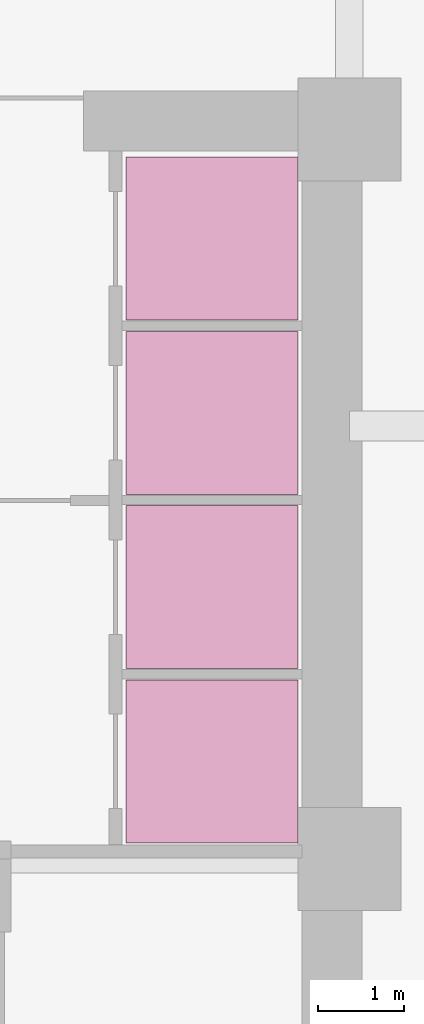
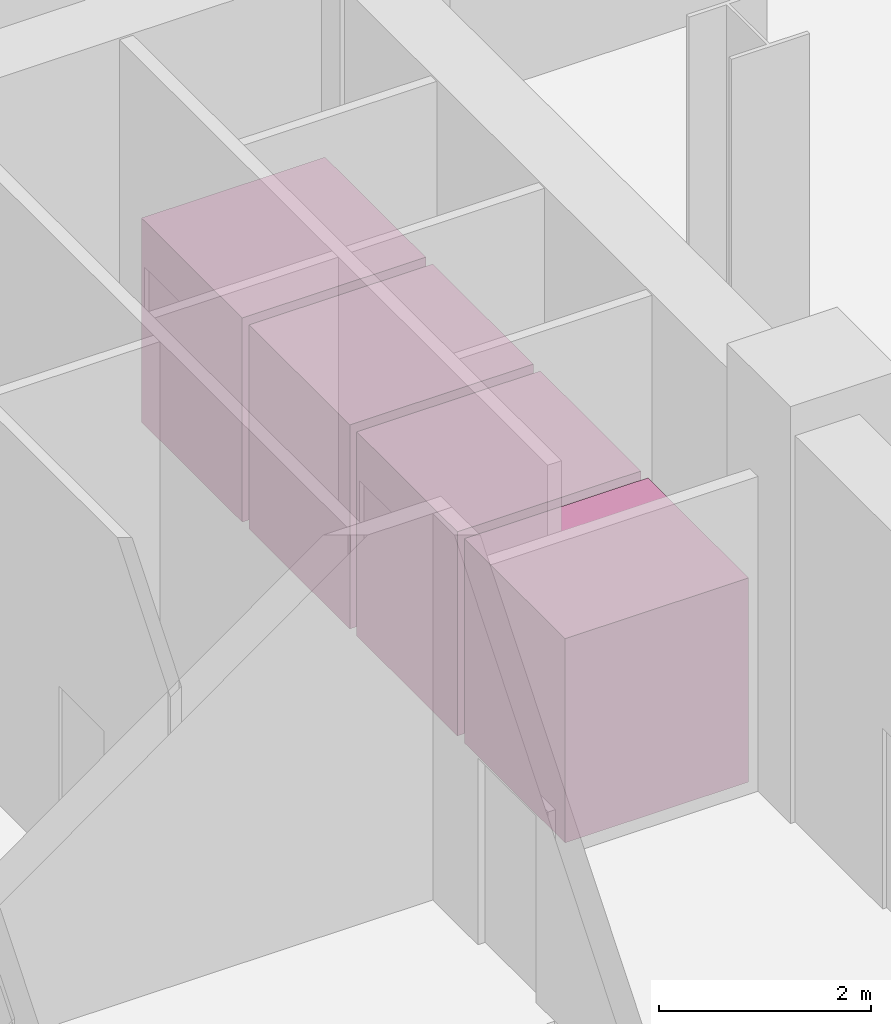
# One storey, part 13 of 13: 4 transport elements.
"""IFC4 building model written with IfcOpenShell, lengths in metres."""

from ifc_helpers import new_model, si_unit, direction, frame, origin, origin_2d, place, context, subcontext, project, spatial, rectangle, extrude, material, type_object, element, save


model = new_model("IFC4")

# Units and contexts
model_context = context("Model", 3, precision=1e-05, world=origin(), true_north=direction((0.0, 1.0)))
body_context = subcontext(model_context, "Body", "Model", "MODEL_VIEW")
ifc_project = project(units=[si_unit("LENGTHUNIT", "METRE"), si_unit("AREAUNIT", "SQUARE_METRE"), si_unit("VOLUMEUNIT", "CUBIC_METRE"), si_unit("PLANEANGLEUNIT", "RADIAN"), si_unit("MASSUNIT", "GRAM", prefix="KILO")], contexts=[model_context])

# Site, building, storey
site_placement = place(None, origin())
site = spatial("IfcSite", under=ifc_project, at=site_placement, CompositionType="ELEMENT")
building_placement = place(site_placement, origin())
building = spatial("IfcBuilding", under=site, at=building_placement, Name="Velakula Bourse", CompositionType="ELEMENT")
storey_placement = place(building_placement, frame((0.0, 0.0, -4.800048828125)))
storey = spatial("IfcBuildingStorey", under=building, at=storey_placement, Name="B01", CompositionType="ELEMENT", Elevation=-4.800048828125)

# Transport elements
ifc_material = material(Name="Brushed grade 316 stainless steel", Category="steel")
transport_element_type = type_object("IfcTransportElementType", Name="LFT-PASS-1600", PredefinedType="ELEVATOR", material=ifc_material)
for number, where, z_axis, x_axis, name in (
    (1, (-10.550048828125, 1.239990234375, 0.0), (0.0, 0.0, 1.0), (1.0, 0.0, 0.0), "Elevator P1 (Passenger Lift)"),
    (2, (-10.550048828125, 3.27001953125, 0.0), (0.0, 0.0, 1.0), (1.0, 0.0, 0.0), "Elevator P2 (Passenger Lift)"),
    (3, (-10.550048828125, 5.300048828125, 0.0), (0.0, 0.0, 1.0), (1.0, 0.0, 0.0), "Elevator P3 (Passenger Lift)"),
    (4, (-10.550048828125, 7.330078125, 0.0), (0.0, 0.0, 1.0), (1.0, 0.0, 0.0), "Elevator P4 (Passenger Lift)"),
):
    element("IfcTransportElement", number, at=place(storey_placement, frame(where, z_axis=z_axis, x_axis=x_axis)), inside=storey, type_object=transport_element_type, Name=name, PredefinedType="ELEVATOR", context=body_context, shape_type="SweptSolid", body=[
        extrude(rectangle(XDim=2.0, YDim=1.89990234375, at=origin_2d()), origin(), (0.0, 0.0, 1.0), 2.35009765625),
    ])

save(model, "model.ifc")
